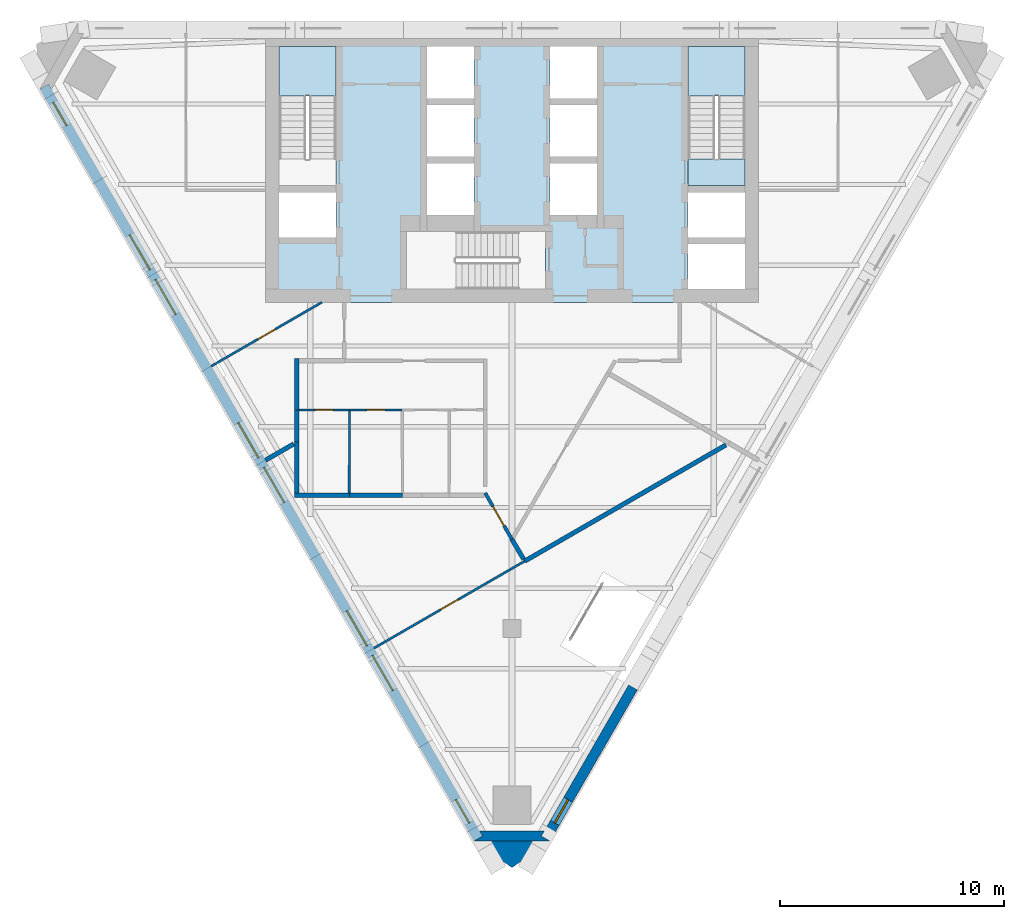
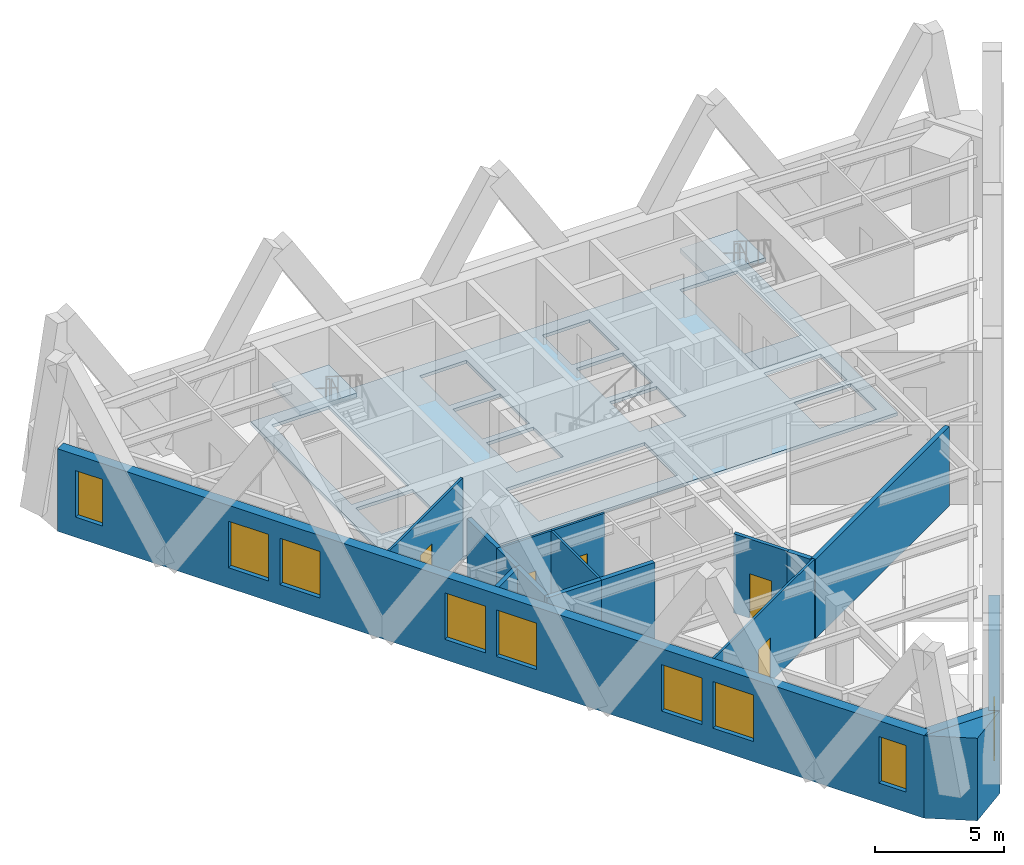
# One storey, part 4 of 10: 18 walls, 9 windows, 5 doors, 4 slabs, 14 openings, 2 elements without a shape of their own.
"""IFC4 building model written with IfcOpenShell, lengths in metres."""

from ifc_helpers import new_model, si_unit, direction, frame, frame_2d, origin, place, context, subcontext, project, spatial, polyline, rectangle, outline, extrude, material, layer, layer_set, type_object, element, fill, aggregate, save


model = new_model("IFC4")

# Units and contexts
model_context = context("Model", 3, precision=1e-05, world=origin(), true_north=direction((0.0, 1.0)))
body_context = subcontext(model_context, "Body", "Model", "MODEL_VIEW")
ifc_project = project(units=[si_unit("LENGTHUNIT", "METRE"), si_unit("AREAUNIT", "SQUARE_METRE"), si_unit("VOLUMEUNIT", "CUBIC_METRE"), si_unit("PLANEANGLEUNIT", "RADIAN"), si_unit("MASSUNIT", "GRAM", prefix="KILO")], contexts=[model_context])

# Site, building, storey
site_placement = place(None, origin())
site = spatial("IfcSite", under=ifc_project, at=site_placement, CompositionType="ELEMENT")
building_placement = place(site_placement, origin())
building = spatial("IfcBuilding", under=site, at=building_placement, Name="Aloe Facet Convention Tower", CompositionType="ELEMENT")
storey_placement = place(building_placement, frame((0.0, 0.0, 219.199951171875)))
storey = spatial("IfcBuildingStorey", under=building, at=storey_placement, Name="L55", CompositionType="ELEMENT", Elevation=219.199951171875)

# Slabs
ifc_material_1 = material(Name="Concrete C50/60", Category="concrete")
ifc_layer_1 = layer(ifc_material_1, 0.14990234375)
ifc_layer_set_1 = layer_set([ifc_layer_1], Name="CR-S-FLOOR150-C5060")
slab_type_1 = type_object("IfcSlabType", Name="CR-S-FLOOR150-C5060", PredefinedType="FLOOR", material=ifc_layer_set_1)
slab_1_placement = place(storey_placement, frame((0.0, 0.0, -0.14990234375)))
element("IfcSlab", 1, at=slab_1_placement, inside=storey, type_object=slab_type_1, Name="Core floor L55", PredefinedType="FLOOR", context=body_context, shape_type="SweptSolid", body=[
    extrude(outline(polyline([(71.85009765625, 134.550048828125), (72.75, 134.550048828125), (75.60009765625, 134.550048828125), (76.5, 134.550048828125), (78.0, 134.550048828125), (78.89990234375, 134.550048828125), (81.10009765625, 134.550048828125), (82.0, 134.550048828125), (83.5, 134.550048828125), (84.39990234375, 134.550048828125), (87.25, 134.550048828125), (88.14990234375, 134.550048828125), (91.0, 134.550048828125), (91.0, 128.050048828125), (91.0, 127.14990234375), (91.0, 125.75), (91.0, 124.85009765625), (91.0, 122.550048828125), (88.14990234375, 122.550048828125), (87.25, 122.550048828125), (85.300048828125, 122.550048828125), (84.39990234375, 122.550048828125), (82.10009765625, 122.550048828125), (81.199951171875, 122.550048828125), (75.60009765625, 122.550048828125), (74.699951171875, 122.550048828125), (72.75, 122.550048828125), (71.85009765625, 122.550048828125), (69.0, 122.550048828125), (69.0, 124.85009765625), (69.0, 125.75), (69.0, 127.14990234375), (69.0, 128.050048828125), (69.0, 134.550048828125), (71.85009765625, 134.550048828125)]), holes=[polyline([(80.298828125, 123.14990234375), (81.5, 123.14990234375), (81.5, 125.699951171875), (80.298828125, 125.699951171875), (75.300048828125, 125.699951171875), (75.300048828125, 123.14990234375), (80.298828125, 123.14990234375)]), polyline([(69.60009765625, 125.449951171875), (72.14990234375, 125.449951171875), (72.14990234375, 127.449951171875), (69.60009765625, 127.449951171875), (69.60009765625, 125.449951171875)]), polyline([(76.199951171875, 126.449951171875), (78.300048828125, 126.449951171875), (78.300048828125, 128.75), (76.199951171875, 128.75), (76.199951171875, 126.449951171875)]), polyline([(78.300048828125, 129.050048828125), (78.300048828125, 131.35009765625), (76.199951171875, 131.35009765625), (76.199951171875, 129.050048828125), (78.300048828125, 129.050048828125)]), polyline([(69.60009765625, 133.949951171875), (69.60009765625, 128.951171875), (69.60009765625, 127.75), (72.14990234375, 127.75), (72.14990234375, 128.951171875), (72.14990234375, 133.949951171875), (69.60009765625, 133.949951171875)]), polyline([(76.199951171875, 131.64990234375), (78.300048828125, 131.64990234375), (78.300048828125, 133.949951171875), (76.199951171875, 133.949951171875), (76.199951171875, 131.64990234375)]), polyline([(90.39990234375, 123.14990234375), (90.39990234375, 125.14990234375), (87.85009765625, 125.14990234375), (87.85009765625, 123.14990234375), (90.39990234375, 123.14990234375)]), polyline([(87.85009765625, 125.449951171875), (90.39990234375, 125.449951171875), (90.39990234375, 127.449951171875), (87.85009765625, 127.449951171875), (87.85009765625, 125.449951171875)]), polyline([(81.699951171875, 126.449951171875), (83.800048828125, 126.449951171875), (83.800048828125, 128.75), (81.699951171875, 128.75), (81.699951171875, 126.449951171875)]), polyline([(83.800048828125, 129.050048828125), (83.800048828125, 131.35009765625), (81.699951171875, 131.35009765625), (81.699951171875, 129.050048828125), (83.800048828125, 129.050048828125)]), polyline([(87.85009765625, 133.949951171875), (87.85009765625, 128.951171875), (87.85009765625, 127.75), (90.39990234375, 127.75), (90.39990234375, 128.951171875), (90.39990234375, 133.949951171875), (87.85009765625, 133.949951171875)]), polyline([(81.699951171875, 131.64990234375), (83.800048828125, 131.64990234375), (83.800048828125, 133.949951171875), (81.699951171875, 133.949951171875), (81.699951171875, 131.64990234375)])]), origin(), (0.0, 0.0, 1.0), 0.14990234375),
])
ifc_material_2 = material(Name="Concrete C50/60", Category="concrete")
ifc_layer_2 = layer(ifc_material_2, 0.300048828125)
ifc_layer_set_2 = layer_set([ifc_layer_2], Name="CR-S-FLOOR300-C5060")
slab_type_2 = type_object("IfcSlabType", Name="CR-S-FLOOR300-C5060", PredefinedType="FLOOR", material=ifc_layer_set_2)
slab_2_placement = place(storey_placement, frame((0.0, 0.0, -0.300048828125)))
element("IfcSlab", 2, at=slab_2_placement, inside=storey, type_object=slab_type_2, Name="Stair landing floor L55", PredefinedType="FLOOR", context=body_context, shape_type="SweptSolid", body=[
    extrude(outline(polyline([(90.39990234375, 127.75), (90.39990234375, 128.951171875), (87.85009765625, 128.951171875), (87.85009765625, 127.75), (90.39990234375, 127.75)])), origin(), (0.0, 0.0, 1.0), 0.300048828125),
])

# Stair, slab
ifc_material_3 = material(Name="Concrete C50/60", Category="concrete")
stair_type = type_object("IfcStairType", Name="CR-ST-22R", PredefinedType="HALF_TURN_STAIR", material=ifc_material_3)
stair_1_placement = place(storey_placement, origin())
stair_1 = element("IfcStair", 3, at=stair_1_placement, inside=storey, type_object=stair_type, Name="L55 Protected exit stair ST1", PredefinedType="HALF_TURN_STAIR")
ifc_material_4 = material(Name="Concrete C50/60", Category="concrete")
ifc_layer_3 = layer(ifc_material_4, 0.199951171875)
ifc_layer_set_3 = layer_set([ifc_layer_3], Name="CR-SL-LANDING")
slab_type_3 = type_object("IfcSlabType", Name="CR-SL-LANDING", PredefinedType="LANDING", material=ifc_layer_set_3)
slab_3_placement = place(storey_placement, frame((0.0, 0.0, 1.75)))
slab_3 = element("IfcSlab", 4, at=slab_3_placement, type_object=slab_type_3, Name="ST1 landing 1", PredefinedType="LANDING", context=body_context, shape_type="SweptSolid", body=[
    extrude(outline(polyline([(72.14990234375, 131.75), (72.14990234375, 133.949951171875), (69.60009765625, 133.949951171875), (69.60009765625, 131.75), (72.14990234375, 131.75)])), origin(), (0.0, 0.0, 1.0), 0.199951171875),
])
aggregate(stair_1, [slab_3])

stair_2_placement = place(storey_placement, origin())
stair_2 = element("IfcStair", 5, at=stair_2_placement, inside=storey, type_object=stair_type, Name="L55 Protected exit stair ST2", PredefinedType="HALF_TURN_STAIR")
slab_4_placement = place(storey_placement, frame((0.0, 0.0, 1.75)))
slab_4 = element("IfcSlab", 6, at=slab_4_placement, type_object=slab_type_3, Name="ST2 landing 1", PredefinedType="LANDING", context=body_context, shape_type="SweptSolid", body=[
    extrude(outline(polyline([(90.39990234375, 131.75), (90.39990234375, 133.949951171875), (87.85009765625, 133.949951171875), (87.85009765625, 131.75), (90.39990234375, 131.75)])), origin(), (0.0, 0.0, 1.0), 0.199951171875),
])
aggregate(stair_2, [slab_4])

# Walls
ifc_material_5 = material(Name="Precast concrete C40/50", Category="concrete")
ifc_layer_4 = layer(ifc_material_5, 0.449951171875)
ifc_layer_set_4 = layer_set([ifc_layer_4], Name="EV-WALL-PIER")
wall_type_1 = type_object("IfcWallType", Name="EV-WALL-PIER", PredefinedType="SOLIDWALL", material=ifc_layer_set_4)
wall_1_placement = place(storey_placement, frame((0.0, 0.0, -0.14990234375)))
element("IfcWall", 7, at=wall_1_placement, inside=storey, type_object=wall_type_1, Name="EP-L55-B", PredefinedType="SOLIDWALL", context=body_context, shape_type="SweptSolid", body=[
    extrude(outline(polyline([(78.300048828125, 98.514892578125), (78.689697265625, 98.739990234375), (78.559814453125, 98.965087890625), (81.440185546875, 98.965087890625), (81.310302734375, 98.739990234375), (81.699951171875, 98.514892578125), (78.300048828125, 98.514892578125)])), origin(), (0.0, 0.0, 1.0), 3.89990234375),
])
ifc_material_6 = material(Name="Precast concrete C40/50", Category="concrete")
ifc_layer_5 = layer(ifc_material_6, 3.947998046875)
ifc_layer_set_5 = layer_set([ifc_layer_5], Name="EV-WALL-SPINE")
wall_type_2 = type_object("IfcWallType", Name="EV-WALL-SPINE", PredefinedType="SOLIDWALL", material=ifc_layer_set_5)
wall_2_placement = place(storey_placement, frame((0.0, 0.0, -0.14990234375)))
element("IfcWall", 8, at=wall_2_placement, inside=storey, type_object=wall_type_2, Name="SP-S-L55", PredefinedType="SOLIDWALL", context=body_context, shape_type="SweptSolid", body=[
    extrude(outline(polyline([(78.300048828125, 98.514892578125), (80.0, 97.327880859375), (81.699951171875, 98.514892578125), (78.300048828125, 98.514892578125)])), origin(), (0.0, 0.0, 1.0), 3.89990234375),
])

# Wall, openings, windows
ifc_material_7 = material(Name="Precast concrete C40/50", Category="concrete")
ifc_layer_6 = layer(ifc_material_7, 0.449951171875)
ifc_layer_set_6 = layer_set([ifc_layer_6], Name="EV-WALL-STONE")
wall_type_3 = type_object("IfcWallType", Name="EV-WALL-STONE", PredefinedType="SOLIDWALL", material=ifc_layer_set_6)
wall_3_placement = place(storey_placement, frame((59.130126953125, 132.16796875, -0.14990234375), z_axis=(0.0, 0.0, 1.0), x_axis=(0.500002199942, -0.866024133644, 0.0)))
wall_3 = element("IfcWall", 9, at=wall_3_placement, inside=storey, type_object=wall_type_3, Name="EW-L55-W01", PredefinedType="SOLIDWALL", context=body_context, shape_type="SweptSolid", body=[
    extrude(outline(polyline([(38.729248046875, 0.0), (38.729248046875, 3.89990234375), (0.0, 3.89990234375), (0.0, 0.0), (38.729248046875, 0.0)])), frame((0.0, 0.22509765625, 0.0), z_axis=(0.0, -1.0, 0.0), x_axis=(1.0, 0.0, 0.0)), (0.0, 0.0, 1.0), 0.449951171875),
])
opening_1_placement = place(wall_3_placement, frame((0.80712890625, 0.0, 0.949951171875)))
opening_1 = element("IfcOpeningElement", 10, at=opening_1_placement, cuts=wall_3, Name="Opening W-L55-W01", PredefinedType="OPENING", context=body_context, shape_type="SweptSolid", body=[
    extrude(rectangle(XDim=1.199951171875, YDim=2.199951171875, at=frame_2d((0.60009765625, 1.10009765625))), frame((0.0, 0.23486328125, 0.0), z_axis=(0.0, -1.0, 0.0), x_axis=(1.0, 0.0, 0.0)), (0.0, 0.0, 1.0), 0.469970703125),
])
opening_2_placement = place(wall_3_placement, frame((7.63232421875, 0.0, 0.949951171875)))
opening_2 = element("IfcOpeningElement", 11, at=opening_2_placement, cuts=wall_3, Name="Opening W-L55-W02", PredefinedType="OPENING", context=body_context, shape_type="SweptSolid", body=[
    extrude(rectangle(XDim=1.800048828125, YDim=2.199951171875, at=frame_2d((0.89990234375, 1.10009765625))), frame((0.0, 0.23486328125, 0.0), z_axis=(0.0, -1.0, 0.0), x_axis=(1.0, 0.0, 0.0)), (0.0, 0.0, 1.0), 0.469970703125),
])
opening_3_placement = place(wall_3_placement, frame((9.932373046875, 0.0, 0.949951171875)))
opening_3 = element("IfcOpeningElement", 12, at=opening_3_placement, cuts=wall_3, Name="Opening W-L55-W03", PredefinedType="OPENING", context=body_context, shape_type="SweptSolid", body=[
    extrude(rectangle(XDim=1.800048828125, YDim=2.199951171875, at=frame_2d((0.89990234375, 1.10009765625))), frame((0.0, 0.23486328125, 0.0), z_axis=(0.0, -1.0, 0.0), x_axis=(1.0, 0.0, 0.0)), (0.0, 0.0, 1.0), 0.469970703125),
])
opening_4_placement = place(wall_3_placement, frame((17.314697265625, 0.0, 0.949951171875)))
opening_4 = element("IfcOpeningElement", 13, at=opening_4_placement, cuts=wall_3, Name="Opening W-L55-W04", PredefinedType="OPENING", context=body_context, shape_type="SweptSolid", body=[
    extrude(rectangle(XDim=1.800048828125, YDim=2.199951171875, at=frame_2d((0.89990234375, 1.10009765625))), frame((0.0, 0.23486328125, 0.0), z_axis=(0.0, -1.0, 0.0), x_axis=(1.0, 0.0, 0.0)), (0.0, 0.0, 1.0), 0.469970703125),
])
opening_5_placement = place(wall_3_placement, frame((19.614501953125, 0.0, 0.949951171875)))
opening_5 = element("IfcOpeningElement", 14, at=opening_5_placement, cuts=wall_3, Name="Opening W-L55-W05", PredefinedType="OPENING", context=body_context, shape_type="SweptSolid", body=[
    extrude(rectangle(XDim=1.800048828125, YDim=2.199951171875, at=frame_2d((0.89990234375, 1.10009765625))), frame((0.0, 0.23486328125, 0.0), z_axis=(0.0, -1.0, 0.0), x_axis=(1.0, 0.0, 0.0)), (0.0, 0.0, 1.0), 0.469970703125),
])
opening_6_placement = place(wall_3_placement, frame((26.996826171875, 0.0, 0.949951171875)))
opening_6 = element("IfcOpeningElement", 15, at=opening_6_placement, cuts=wall_3, Name="Opening W-L55-W06", PredefinedType="OPENING", context=body_context, shape_type="SweptSolid", body=[
    extrude(rectangle(XDim=1.800048828125, YDim=2.199951171875, at=frame_2d((0.89990234375, 1.10009765625))), frame((0.0, 0.23486328125, 0.0), z_axis=(0.0, -1.0, 0.0), x_axis=(1.0, 0.0, 0.0)), (0.0, 0.0, 1.0), 0.469970703125),
])
opening_7_placement = place(wall_3_placement, frame((29.296875, 0.0, 0.949951171875)))
opening_7 = element("IfcOpeningElement", 16, at=opening_7_placement, cuts=wall_3, Name="Opening W-L55-W07", PredefinedType="OPENING", context=body_context, shape_type="SweptSolid", body=[
    extrude(rectangle(XDim=1.800048828125, YDim=2.199951171875, at=frame_2d((0.89990234375, 1.10009765625))), frame((0.0, 0.23486328125, 0.0), z_axis=(0.0, -1.0, 0.0), x_axis=(1.0, 0.0, 0.0)), (0.0, 0.0, 1.0), 0.469970703125),
])
opening_8_placement = place(wall_3_placement, frame((36.72216796875, 0.0, 0.949951171875)))
opening_8 = element("IfcOpeningElement", 17, at=opening_8_placement, cuts=wall_3, Name="Opening W-L55-W08", PredefinedType="OPENING", context=body_context, shape_type="SweptSolid", body=[
    extrude(rectangle(XDim=1.199951171875, YDim=2.199951171875, at=frame_2d((0.60009765625, 1.10009765625))), frame((0.0, 0.23486328125, 0.0), z_axis=(0.0, -1.0, 0.0), x_axis=(1.0, 0.0, 0.0)), (0.0, 0.0, 1.0), 0.469970703125),
])
ifc_material_8 = material(Name="Aluminium frame, clear double glazing", Category="aluminium")
window_type_1 = type_object("IfcWindowType", Name="EV-WIN-O12", PartitioningType="SINGLE_PANEL", PredefinedType="WINDOW", material=ifc_material_8)
window_1_placement = place(opening_1_placement, origin())
window_1 = element("IfcWindow", 18, at=window_1_placement, inside=storey, type_object=window_type_1, Name="W-L55-W01", OverallHeight=2.199951171875, OverallWidth=1.199951171875, PartitioningType="SINGLE_PANEL", PredefinedType="WINDOW", context=body_context, shape_type="SweptSolid", body=[
    extrude(rectangle(XDim=1.199951171875, YDim=2.199951171875, at=frame_2d((0.60009765625, 1.10009765625))), frame((0.0, 0.030029296875, 0.0), z_axis=(0.0, -1.0, 0.0), x_axis=(1.0, 0.0, 0.0)), (0.0, 0.0, 1.0), 0.06005859375),
])
fill(opening_1, window_1)
window_2_placement = place(opening_8_placement, origin())
window_2 = element("IfcWindow", 19, at=window_2_placement, inside=storey, type_object=window_type_1, Name="W-L55-W08", OverallHeight=2.199951171875, OverallWidth=1.199951171875, PartitioningType="SINGLE_PANEL", PredefinedType="WINDOW", context=body_context, shape_type="SweptSolid", body=[
    extrude(rectangle(XDim=1.199951171875, YDim=2.199951171875, at=frame_2d((0.60009765625, 1.10009765625))), frame((0.0, 0.030029296875, 0.0), z_axis=(0.0, -1.0, 0.0), x_axis=(1.0, 0.0, 0.0)), (0.0, 0.0, 1.0), 0.06005859375),
])
fill(opening_8, window_2)
ifc_material_9 = material(Name="Aluminium frame, clear double glazing", Category="aluminium")
window_type_2 = type_object("IfcWindowType", Name="EV-WIN-O18", PartitioningType="SINGLE_PANEL", PredefinedType="WINDOW", material=ifc_material_9)
window_3_placement = place(opening_2_placement, origin())
window_3 = element("IfcWindow", 20, at=window_3_placement, inside=storey, type_object=window_type_2, Name="W-L55-W02", OverallHeight=2.199951171875, OverallWidth=1.800048828125, PartitioningType="SINGLE_PANEL", PredefinedType="WINDOW", context=body_context, shape_type="SweptSolid", body=[
    extrude(rectangle(XDim=1.800048828125, YDim=2.199951171875, at=frame_2d((0.89990234375, 1.10009765625))), frame((0.0, 0.030029296875, 0.0), z_axis=(0.0, -1.0, 0.0), x_axis=(1.0, 0.0, 0.0)), (0.0, 0.0, 1.0), 0.06005859375),
])
fill(opening_2, window_3)
window_4_placement = place(opening_3_placement, origin())
window_4 = element("IfcWindow", 21, at=window_4_placement, inside=storey, type_object=window_type_2, Name="W-L55-W03", OverallHeight=2.199951171875, OverallWidth=1.800048828125, PartitioningType="SINGLE_PANEL", PredefinedType="WINDOW", context=body_context, shape_type="SweptSolid", body=[
    extrude(rectangle(XDim=1.800048828125, YDim=2.199951171875, at=frame_2d((0.89990234375, 1.10009765625))), frame((0.0, 0.030029296875, 0.0), z_axis=(0.0, -1.0, 0.0), x_axis=(1.0, 0.0, 0.0)), (0.0, 0.0, 1.0), 0.06005859375),
])
fill(opening_3, window_4)
window_5_placement = place(opening_4_placement, origin())
window_5 = element("IfcWindow", 22, at=window_5_placement, inside=storey, type_object=window_type_2, Name="W-L55-W04", OverallHeight=2.199951171875, OverallWidth=1.800048828125, PartitioningType="SINGLE_PANEL", PredefinedType="WINDOW", context=body_context, shape_type="SweptSolid", body=[
    extrude(rectangle(XDim=1.800048828125, YDim=2.199951171875, at=frame_2d((0.89990234375, 1.10009765625))), frame((0.0, 0.030029296875, 0.0), z_axis=(0.0, -1.0, 0.0), x_axis=(1.0, 0.0, 0.0)), (0.0, 0.0, 1.0), 0.06005859375),
])
fill(opening_4, window_5)
window_6_placement = place(opening_5_placement, origin())
window_6 = element("IfcWindow", 23, at=window_6_placement, inside=storey, type_object=window_type_2, Name="W-L55-W05", OverallHeight=2.199951171875, OverallWidth=1.800048828125, PartitioningType="SINGLE_PANEL", PredefinedType="WINDOW", context=body_context, shape_type="SweptSolid", body=[
    extrude(rectangle(XDim=1.800048828125, YDim=2.199951171875, at=frame_2d((0.89990234375, 1.10009765625))), frame((0.0, 0.030029296875, 0.0), z_axis=(0.0, -1.0, 0.0), x_axis=(1.0, 0.0, 0.0)), (0.0, 0.0, 1.0), 0.06005859375),
])
fill(opening_5, window_6)
window_7_placement = place(opening_6_placement, origin())
window_7 = element("IfcWindow", 24, at=window_7_placement, inside=storey, type_object=window_type_2, Name="W-L55-W06", OverallHeight=2.199951171875, OverallWidth=1.800048828125, PartitioningType="SINGLE_PANEL", PredefinedType="WINDOW", context=body_context, shape_type="SweptSolid", body=[
    extrude(rectangle(XDim=1.800048828125, YDim=2.199951171875, at=frame_2d((0.89990234375, 1.10009765625))), frame((0.0, 0.030029296875, 0.0), z_axis=(0.0, -1.0, 0.0), x_axis=(1.0, 0.0, 0.0)), (0.0, 0.0, 1.0), 0.06005859375),
])
fill(opening_6, window_7)
window_8_placement = place(opening_7_placement, origin())
window_8 = element("IfcWindow", 25, at=window_8_placement, inside=storey, type_object=window_type_2, Name="W-L55-W07", OverallHeight=2.199951171875, OverallWidth=1.800048828125, PartitioningType="SINGLE_PANEL", PredefinedType="WINDOW", context=body_context, shape_type="SweptSolid", body=[
    extrude(rectangle(XDim=1.800048828125, YDim=2.199951171875, at=frame_2d((0.89990234375, 1.10009765625))), frame((0.0, 0.030029296875, 0.0), z_axis=(0.0, -1.0, 0.0), x_axis=(1.0, 0.0, 0.0)), (0.0, 0.0, 1.0), 0.06005859375),
])
fill(opening_7, window_8)

# Wall, opening, window
wall_4_placement = place(storey_placement, frame((81.505126953125, 98.62744140625, -0.14990234375), z_axis=(0.0, 0.0, 1.0), x_axis=(0.499992199611, 0.866029907294, 0.0)))
wall_4 = element("IfcWall", 26, at=wall_4_placement, inside=storey, type_object=wall_type_3, Name="EW-L55-E01", PredefinedType="SOLIDWALL", context=body_context, shape_type="SweptSolid", body=[
    extrude(outline(polyline([(0.0, 0.0), (0.0, 3.89990234375), (7.7822265625, 3.89990234375), (7.7822265625, 0.0), (0.0, 0.0)])), frame((0.0, 0.22509765625, 0.0), z_axis=(0.0, -1.0, 0.0), x_axis=(1.0, 0.0, 0.0)), (0.0, 0.0, 1.0), 0.449951171875),
])
opening_9_placement = place(wall_4_placement, frame((0.80712890625, 0.0, 0.949951171875)))
opening_9 = element("IfcOpeningElement", 27, at=opening_9_placement, cuts=wall_4, Name="Opening W-L55-E01", PredefinedType="OPENING", context=body_context, shape_type="SweptSolid", body=[
    extrude(rectangle(XDim=1.199951171875, YDim=2.199951171875, at=frame_2d((0.60009765625, 1.10009765625))), frame((0.0, 0.23486328125, 0.0), z_axis=(0.0, -1.0, 0.0), x_axis=(1.0, 0.0, 0.0)), (0.0, 0.0, 1.0), 0.469970703125),
])
window_9_placement = place(opening_9_placement, origin())
window_9 = element("IfcWindow", 28, at=window_9_placement, inside=storey, type_object=window_type_1, Name="W-L55-E01", OverallHeight=2.199951171875, OverallWidth=1.199951171875, PartitioningType="SINGLE_PANEL", PredefinedType="WINDOW", context=body_context, shape_type="SweptSolid", body=[
    extrude(rectangle(XDim=1.199951171875, YDim=2.199951171875, at=frame_2d((0.60009765625, 1.10009765625))), frame((0.0, 0.030029296875, 0.0), z_axis=(0.0, -1.0, 0.0), x_axis=(1.0, 0.0, 0.0)), (0.0, 0.0, 1.0), 0.06005859375),
])
fill(opening_9, window_9)

# Wall, opening, door
ifc_material_10 = material(Name="Gypsum board partition on steel studs", Category="steel")
ifc_layer_7 = layer(ifc_material_10, 0.14990234375)
ifc_layer_set_7 = layer_set([ifc_layer_7], Name="IN-W-CORR")
wall_type_4 = type_object("IfcWallType", Name="IN-W-CORR", PredefinedType="PARTITIONING", material=ifc_layer_set_7)
wall_5_placement = place(storey_placement, frame((78.800048828125, 114.048828125, 0.0), z_axis=(0.0, 0.0, 1.0), x_axis=(0.500001309137, -0.866024647952, 0.0)))
wall_5 = element("IfcWall", 29, at=wall_5_placement, inside=storey, type_object=wall_type_4, Name="Partition L55-W004", PredefinedType="PARTITIONING", context=body_context, shape_type="SweptSolid", body=[
    extrude(rectangle(XDim=2.39990234375, YDim=0.14990234375, at=frame_2d((1.199951171875, 0.0))), origin(), (0.0, 0.0, 1.0), 3.75),
])
opening_10_placement = place(wall_5_placement, frame((0.699951171875, 0.0, 0.0)))
opening_10 = element("IfcOpeningElement", 30, at=opening_10_placement, cuts=wall_5, Name="Opening L55-010", PredefinedType="OPENING", context=body_context, shape_type="SweptSolid", body=[
    extrude(rectangle(XDim=1.0, YDim=2.10009765625, at=frame_2d((0.5, 1.050048828125))), frame((0.0, 0.0849609375, 0.0), z_axis=(0.0, -1.0, 0.0), x_axis=(1.0, 0.0, 0.0)), (0.0, 0.0, 1.0), 0.169921875),
])
ifc_material_11 = material(Name="Timber door FD30S with vision panel", Category="wood")
door_type_1 = type_object("IfcDoorType", Name="IN-OFF-D-ENTRY", OperationType="SINGLE_SWING_LEFT", PredefinedType="DOOR", material=ifc_material_11)
door_1_placement = place(opening_10_placement, origin())
door_1 = element("IfcDoor", 31, at=door_1_placement, inside=storey, type_object=door_type_1, Name="Door L55-010", OperationType="SINGLE_SWING_LEFT", OverallHeight=2.10009765625, OverallWidth=1.0, PredefinedType="DOOR", context=body_context, shape_type="SweptSolid", body=[
    extrude(rectangle(XDim=1.0, YDim=2.10009765625, at=frame_2d((0.5, 1.050048828125))), frame((0.0, 0.02490234375, 0.0), z_axis=(0.0, -1.0, 0.0), x_axis=(1.0, 0.0, 0.0)), (0.0, 0.0, 1.0), 0.050048828125),
])
fill(opening_10, door_1)

ifc_material_12 = material(Name="Gypsum board partition on steel studs", Category="steel")
ifc_layer_8 = layer(ifc_material_12, 0.10009765625)
ifc_layer_set_8 = layer_set([ifc_layer_8], Name="IN-W-PART")
wall_type_5 = type_object("IfcWallType", Name="IN-W-PART", PredefinedType="PARTITIONING", material=ifc_layer_set_8)
wall_6_placement = place(storey_placement, frame((73.8486328125, 107.125244140625, 0.0), z_axis=(0.0, 0.0, 1.0), x_axis=(0.866027358884, 0.499996613652, 0.0)))
wall_6 = element("IfcWall", 32, at=wall_6_placement, inside=storey, type_object=wall_type_5, Name="Partition L55-W001", PredefinedType="PARTITIONING", context=body_context, shape_type="SweptSolid", body=[
    extrude(rectangle(XDim=7.759765625, YDim=0.10009765625, at=frame_2d((3.8798828125, 0.0))), origin(), (0.0, 0.0, 1.0), 3.75),
])
opening_11_placement = place(wall_6_placement, frame((3.429931640625, 0.0, 0.0)))
opening_11 = element("IfcOpeningElement", 33, at=opening_11_placement, cuts=wall_6, Name="Opening L55-014", PredefinedType="OPENING", context=body_context, shape_type="SweptSolid", body=[
    extrude(rectangle(XDim=0.89990234375, YDim=2.10009765625, at=frame_2d((0.449951171875, 1.050048828125))), frame((0.0, 0.06005859375, 0.0), z_axis=(0.0, -1.0, 0.0), x_axis=(1.0, 0.0, 0.0)), (0.0, 0.0, 1.0), 0.1201171875),
])
ifc_material_13 = material(Name="Timber door", Category="wood")
door_type_2 = type_object("IfcDoorType", Name="IN-OFF-D-ROOM", OperationType="SINGLE_SWING_LEFT", PredefinedType="DOOR", material=ifc_material_13)
door_2_placement = place(opening_11_placement, origin())
door_2 = element("IfcDoor", 34, at=door_2_placement, inside=storey, type_object=door_type_2, Name="Door L55-014", OperationType="SINGLE_SWING_LEFT", OverallHeight=2.10009765625, OverallWidth=0.89990234375, PredefinedType="DOOR", context=body_context, shape_type="SweptSolid", body=[
    extrude(rectangle(XDim=0.89990234375, YDim=2.10009765625, at=frame_2d((0.449951171875, 1.050048828125))), frame((0.0, 0.02490234375, 0.0), z_axis=(0.0, -1.0, 0.0), x_axis=(1.0, 0.0, 0.0)), (0.0, 0.0, 1.0), 0.050048828125),
])
fill(opening_11, door_2)

# Wall
wall_7_placement = place(storey_placement, frame((72.7421875, 114.047119140625, 0.0), z_axis=(0.0, 0.0, 1.0), x_axis=(0.002673429826, 0.99999642638, 0.0)))
element("IfcWall", 35, at=wall_7_placement, inside=storey, type_object=wall_type_5, Name="Partition L55-W017", PredefinedType="PARTITIONING", context=body_context, shape_type="SweptSolid", body=[
    extrude(rectangle(XDim=3.65283203125, YDim=0.10009765625, at=frame_2d((1.826416015625, 0.0))), origin(), (0.0, 0.0, 1.0), 3.75),
])

# Wall, opening, door
wall_8_placement = place(storey_placement, frame((70.5, 117.75, 0.0), z_axis=(0.0, 0.0, 1.0), x_axis=(1.0, 0.0, 0.0)))
wall_8 = element("IfcWall", 36, at=wall_8_placement, inside=storey, type_object=wall_type_5, Name="Partition L55-W018", PredefinedType="PARTITIONING", context=body_context, shape_type="SweptSolid", body=[
    extrude(rectangle(XDim=2.251953125, YDim=0.10009765625, at=frame_2d((1.1259765625, 0.0))), origin(), (0.0, 0.0, 1.0), 3.75),
])
opening_12_placement = place(wall_8_placement, frame((0.72607421875, 0.0, 0.0)))
opening_12 = element("IfcOpeningElement", 37, at=opening_12_placement, cuts=wall_8, Name="Opening L55-002", PredefinedType="OPENING", context=body_context, shape_type="SweptSolid", body=[
    extrude(rectangle(XDim=0.800048828125, YDim=2.10009765625, at=frame_2d((0.39990234375, 1.050048828125))), frame((0.0, 0.06005859375, 0.0), z_axis=(0.0, -1.0, 0.0), x_axis=(1.0, 0.0, 0.0)), (0.0, 0.0, 1.0), 0.1201171875),
])
ifc_material_14 = material(Name="Timber door", Category="wood")
door_type_3 = type_object("IfcDoorType", Name="IN-OFF-D-WC", OperationType="SINGLE_SWING_LEFT", PredefinedType="DOOR", material=ifc_material_14)
door_3_placement = place(opening_12_placement, origin())
door_3 = element("IfcDoor", 38, at=door_3_placement, inside=storey, type_object=door_type_3, Name="Door L55-002", OperationType="SINGLE_SWING_LEFT", OverallHeight=2.10009765625, OverallWidth=0.800048828125, PredefinedType="DOOR", context=body_context, shape_type="SweptSolid", body=[
    extrude(rectangle(XDim=0.800048828125, YDim=2.10009765625, at=frame_2d((0.39990234375, 1.050048828125))), frame((0.0, 0.02490234375, 0.0), z_axis=(0.0, -1.0, 0.0), x_axis=(1.0, 0.0, 0.0)), (0.0, 0.0, 1.0), 0.050048828125),
])
fill(opening_12, door_3)

wall_9_placement = place(storey_placement, frame((72.751953125, 117.75, 0.0), z_axis=(0.0, 0.0, 1.0), x_axis=(1.0, 0.0, 0.0)))
wall_9 = element("IfcWall", 39, at=wall_9_placement, inside=storey, type_object=wall_type_5, Name="Partition L55-W020", PredefinedType="PARTITIONING", context=body_context, shape_type="SweptSolid", body=[
    extrude(rectangle(XDim=2.35205078125, YDim=0.10009765625, at=frame_2d((1.176025390625, 0.0))), origin(), (0.0, 0.0, 1.0), 3.75),
])
opening_13_placement = place(wall_9_placement, frame((0.77587890625, 0.0, 0.0)))
opening_13 = element("IfcOpeningElement", 40, at=opening_13_placement, cuts=wall_9, Name="Opening L55-003", PredefinedType="OPENING", context=body_context, shape_type="SweptSolid", body=[
    extrude(rectangle(XDim=0.800048828125, YDim=2.10009765625, at=frame_2d((0.39990234375, 1.050048828125))), frame((0.0, 0.06005859375, 0.0), z_axis=(0.0, -1.0, 0.0), x_axis=(1.0, 0.0, 0.0)), (0.0, 0.0, 1.0), 0.1201171875),
])
door_4_placement = place(opening_13_placement, origin())
door_4 = element("IfcDoor", 41, at=door_4_placement, inside=storey, type_object=door_type_3, Name="Door L55-003", OperationType="SINGLE_SWING_LEFT", OverallHeight=2.10009765625, OverallWidth=0.800048828125, PredefinedType="DOOR", context=body_context, shape_type="SweptSolid", body=[
    extrude(rectangle(XDim=0.800048828125, YDim=2.10009765625, at=frame_2d((0.39990234375, 1.050048828125))), frame((0.0, 0.02490234375, 0.0), z_axis=(0.0, -1.0, 0.0), x_axis=(1.0, 0.0, 0.0)), (0.0, 0.0, 1.0), 0.050048828125),
])
fill(opening_13, door_4)

wall_10_placement = place(storey_placement, frame((66.5869140625, 119.702880859375, 0.0), z_axis=(0.0, 0.0, 1.0), x_axis=(0.866023511746, 0.500003277092, 0.0)))
wall_10 = element("IfcWall", 42, at=wall_10_placement, inside=storey, type_object=wall_type_5, Name="Partition L55-W026", PredefinedType="PARTITIONING", context=body_context, shape_type="SweptSolid", body=[
    extrude(rectangle(XDim=5.6943359375, YDim=0.10009765625, at=frame_2d((2.84716796875, 0.0))), origin(), (0.0, 0.0, 1.0), 3.75),
])
opening_14_placement = place(wall_10_placement, frame((2.397216796875, 0.0, 0.0)))
opening_14 = element("IfcOpeningElement", 43, at=opening_14_placement, cuts=wall_10, Name="Opening L55-008", PredefinedType="OPENING", context=body_context, shape_type="SweptSolid", body=[
    extrude(rectangle(XDim=0.89990234375, YDim=2.10009765625, at=frame_2d((0.449951171875, 1.050048828125))), frame((0.0, 0.06005859375, 0.0), z_axis=(0.0, -1.0, 0.0), x_axis=(1.0, 0.0, 0.0)), (0.0, 0.0, 1.0), 0.1201171875),
])
door_5_placement = place(opening_14_placement, origin())
door_5 = element("IfcDoor", 44, at=door_5_placement, inside=storey, type_object=door_type_2, Name="Door L55-008", OperationType="SINGLE_SWING_LEFT", OverallHeight=2.10009765625, OverallWidth=0.89990234375, PredefinedType="DOOR", context=body_context, shape_type="SweptSolid", body=[
    extrude(rectangle(XDim=0.89990234375, YDim=2.10009765625, at=frame_2d((0.449951171875, 1.050048828125))), frame((0.0, 0.02490234375, 0.0), z_axis=(0.0, -1.0, 0.0), x_axis=(1.0, 0.0, 0.0)), (0.0, 0.0, 1.0), 0.050048828125),
])
fill(opening_14, door_5)

# Walls
ifc_material_15 = material(Name="Gypsum board partition on steel studs", Category="steel")
ifc_layer_9 = layer(ifc_material_15, 0.199951171875)
ifc_layer_set_9 = layer_set([ifc_layer_9], Name="IN-W-PARTY")
wall_type_6 = type_object("IfcWallType", Name="IN-W-PARTY", PredefinedType="PARTITIONING", material=ifc_layer_set_9)
wall_11_placement = place(storey_placement, frame((80.56884765625, 111.005126953125, 0.0), z_axis=(0.0, 0.0, 1.0), x_axis=(0.866025130863, 0.500000472714, 0.0)))
element("IfcWall", 45, at=wall_11_placement, inside=storey, type_object=wall_type_6, Name="Partition L55-W002", PredefinedType="PARTITIONING", context=body_context, shape_type="SweptSolid", body=[
    extrude(rectangle(XDim=10.36328125, YDim=0.199951171875, at=frame_2d((5.181640625, 0.0))), origin(), (0.0, 0.0, 1.0), 3.75),
])
wall_12_placement = place(storey_placement, frame((80.0, 111.970458984375, 0.0), z_axis=(0.0, 0.0, 1.0), x_axis=(0.507689136561, -0.861540330233, 0.0)))
element("IfcWall", 46, at=wall_12_placement, inside=storey, type_object=wall_type_6, Name="Partition L55-W003", PredefinedType="PARTITIONING", context=body_context, shape_type="SweptSolid", body=[
    extrude(rectangle(XDim=1.0205078125, YDim=0.199951171875, at=frame_2d((0.51025390625, 0.0))), origin(), (0.0, 0.0, 1.0), 3.75),
])
wall_13_placement = place(storey_placement, frame((70.300048828125, 113.947021484375, 0.0), z_axis=(0.0, 0.0, 1.0), x_axis=(1.0, 0.0, 0.0)))
element("IfcWall", 47, at=wall_13_placement, inside=storey, type_object=wall_type_6, Name="Partition L55-W005", PredefinedType="PARTITIONING", context=body_context, shape_type="SweptSolid", body=[
    extrude(rectangle(XDim=2.44189453125, YDim=0.199951171875, at=frame_2d((1.220947265625, 0.0))), origin(), (0.0, 0.0, 1.0), 3.75),
])
wall_14_placement = place(storey_placement, frame((72.741943359375, 113.947021484375, 0.0), z_axis=(0.0, 0.0, 1.0), x_axis=(1.0, 0.0, 0.0)))
element("IfcWall", 48, at=wall_14_placement, inside=storey, type_object=wall_type_6, Name="Partition L55-W006", PredefinedType="PARTITIONING", context=body_context, shape_type="SweptSolid", body=[
    extrude(rectangle(XDim=2.3720703125, YDim=0.199951171875, at=frame_2d((1.18603515625, 0.0))), origin(), (0.0, 0.0, 1.0), 3.75),
])
wall_15_placement = place(storey_placement, frame((69.009033203125, 115.507568359375, 0.0), z_axis=(0.0, 0.0, 1.0), x_axis=(0.865958882005, 0.500115201406, 0.0)))
element("IfcWall", 49, at=wall_15_placement, inside=storey, type_object=wall_type_6, Name="Partition L55-W012", PredefinedType="PARTITIONING", context=body_context, shape_type="SweptSolid", body=[
    extrude(rectangle(XDim=1.452880859375, YDim=0.199951171875, at=frame_2d((0.7265625, 0.0))), origin(), (0.0, 0.0, 1.0), 3.75),
])
wall_16_placement = place(storey_placement, frame((70.39990234375, 114.047119140625, 0.0), z_axis=(0.0, 0.0, 1.0), x_axis=(-0.001295195892, 0.999999161233, 0.0)))
element("IfcWall", 50, at=wall_16_placement, inside=storey, type_object=wall_type_6, Name="Partition L55-W015", PredefinedType="PARTITIONING", context=body_context, shape_type="SweptSolid", body=[
    extrude(rectangle(XDim=2.261962890625, YDim=0.199951171875, at=frame_2d((1.130859375, 0.0))), origin(), (0.0, 0.0, 1.0), 3.75),
])
wall_17_placement = place(storey_placement, frame((70.39697265625, 116.30908203125, 0.0), z_axis=(0.0, 0.0, 1.0), x_axis=(0.002033204879, 0.999997933037, 0.0)))
element("IfcWall", 51, at=wall_17_placement, inside=storey, type_object=wall_type_6, Name="Partition L55-W024", PredefinedType="PARTITIONING", context=body_context, shape_type="SweptSolid", body=[
    extrude(rectangle(XDim=1.44091796875, YDim=0.199951171875, at=frame_2d((0.720458984375, 0.0))), origin(), (0.0, 0.0, 1.0), 3.75),
])
wall_18_placement = place(storey_placement, frame((70.39990234375, 117.75, 0.0), z_axis=(0.0, 0.0, 1.0), x_axis=(0.0, 1.0, 0.0)))
element("IfcWall", 52, at=wall_18_placement, inside=storey, type_object=wall_type_6, Name="Partition L55-W029", PredefinedType="PARTITIONING", context=body_context, shape_type="SweptSolid", body=[
    extrude(rectangle(XDim=2.300048828125, YDim=0.199951171875, at=frame_2d((1.14990234375, 0.0))), origin(), (0.0, 0.0, 1.0), 3.75),
])

save(model, "model.ifc")
